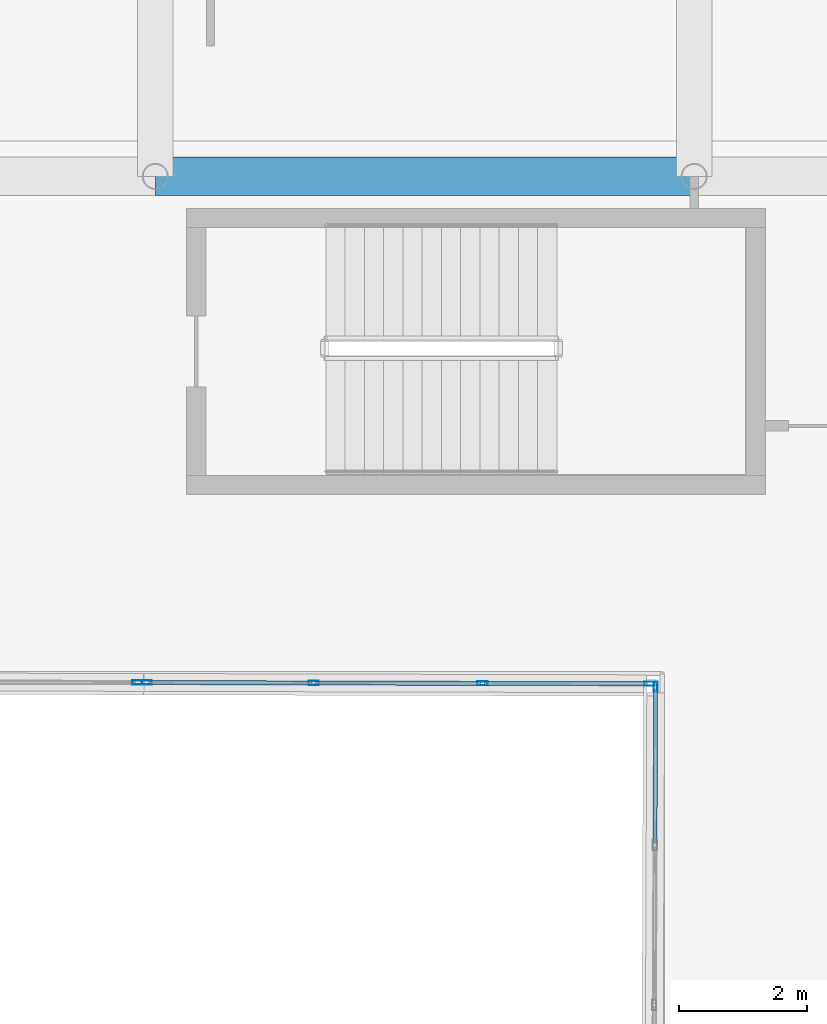
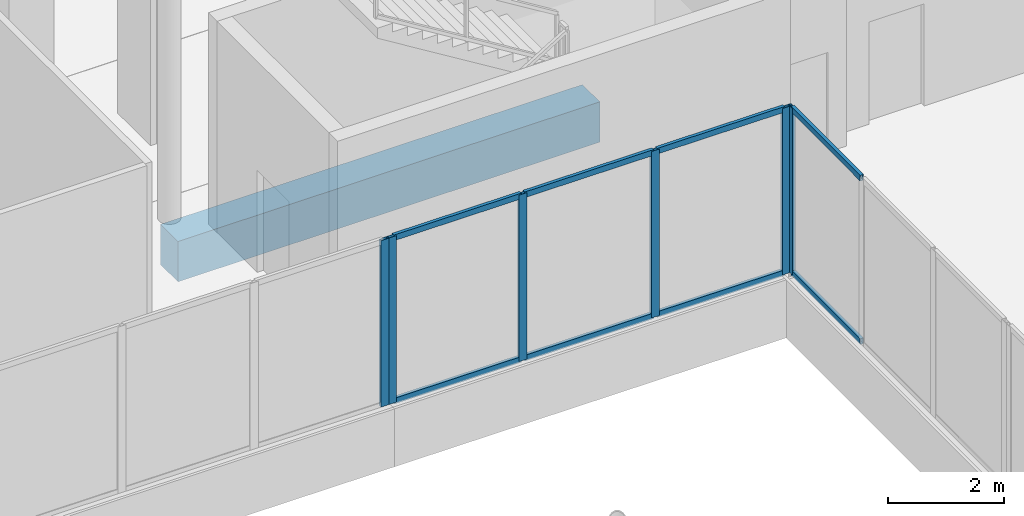
# One storey, part 74 of 168: 14 members, 1 beam, 3 elements without a shape of their own.
"""IFC4 building model written with IfcOpenShell, lengths in metres."""

from ifc_helpers import new_model, si_unit, direction, frame, origin, origin_2d, place, context, subcontext, project, spatial, rectangle, hollow_rectangle, extrude, material, material_profile, profile_set, type_object, element, aggregate, save


model = new_model("IFC4")

# Units and contexts
model_context = context("Model", 3, precision=1e-05, world=origin(), true_north=direction((0.0, 1.0)))
body_context = subcontext(model_context, "Body", "Model", "MODEL_VIEW")
ifc_project = project(units=[si_unit("LENGTHUNIT", "METRE"), si_unit("AREAUNIT", "SQUARE_METRE"), si_unit("VOLUMEUNIT", "CUBIC_METRE"), si_unit("PLANEANGLEUNIT", "RADIAN"), si_unit("MASSUNIT", "GRAM", prefix="KILO")], contexts=[model_context])

# Site, building, storey
site_placement = place(None, origin())
site = spatial("IfcSite", under=ifc_project, at=site_placement, CompositionType="ELEMENT")
building_placement = place(site_placement, origin())
building = spatial("IfcBuilding", under=site, at=building_placement, Name="Selatvlak General Hospital", CompositionType="ELEMENT")
storey_placement = place(building_placement, frame((0.0, 0.0, 5.39990234375)))
storey = spatial("IfcBuildingStorey", under=building, at=storey_placement, Name="L01", CompositionType="ELEMENT", Elevation=5.39990234375)

# Beam
ifc_material_1 = material(Name="Concrete C40/50", Category="concrete")
ifc_material_profile_1 = material_profile(ifc_material_1, rectangle(XDim=0.60009765625, YDim=0.85009765625, at=origin_2d()), Name="RC-BM 600x850")
ifc_profile_set_1 = profile_set([ifc_material_profile_1], Name="Concrete C40/50")
beam_type = type_object("IfcBeamType", Name="BM-G01", PredefinedType="BEAM", material=ifc_profile_set_1)
beam_placement = place(storey_placement, frame((56.39990234375, 83.449951171875, -0.744873046875), z_axis=(1.0, 0.0, 0.0), x_axis=(0.0, 1.0, 0.0)))
element("IfcBeam", 1, at=beam_placement, inside=storey, type_object=beam_type, Name="Beam BMR-L01-0426", PredefinedType="BEAM", context=body_context, shape_type="SweptSolid", body=[
    extrude(rectangle(XDim=0.60009765625, YDim=0.85009765625, at=origin_2d()), origin(), (0.0, 0.0, 1.0), 8.400146484375),
])

# Curtain wall, member
ifc_material_2 = material(Name="Solar-control Low-E double glazing", Category="glass")
curtain_wall_type_1 = type_object("IfcCurtainWallType", Name="CW-CW-02", PredefinedType="USERDEFINED", material=ifc_material_2)
curtain_wall_1_placement = place(storey_placement, origin())
curtain_wall_1 = element("IfcCurtainWall", 2, at=curtain_wall_1_placement, inside=storey, type_object=curtain_wall_type_1, Name="Glazed facade curtain wall CW-L01-0235", ObjectType="UNITISED CURTAIN WALL", PredefinedType="USERDEFINED")
ifc_material_3 = material(Name="Dark anodised aluminium mullion", Category="aluminium")
ifc_material_profile_2 = material_profile(ifc_material_3, hollow_rectangle(XDim=0.06494140625, YDim=0.159912109375, WallThickness=0.00390625, at=origin_2d()), Name="AL-MUL 65x160x4")
ifc_profile_set_2 = profile_set([ifc_material_profile_2], Name="Dark anodised aluminium mullion")
member_type_1 = type_object("IfcMemberType", Name="CWM-01", PredefinedType="MULLION", material=ifc_profile_set_2)
member_1_placement = place(storey_placement, frame((64.199951171875, 75.492431640625, 0.940185546875), z_axis=(0.0, 0.0, 1.0), x_axis=(-0.99999197872, 0.00400530832, 0.0)))
member_1 = element("IfcMember", 3, at=member_1_placement, type_object=member_type_1, Name="CW-02 mullion 4", PredefinedType="MULLION", context=body_context, shape_type="SweptSolid", body=[
    extrude(hollow_rectangle(XDim=0.06494140625, YDim=0.159912109375, WallThickness=0.00390625, at=origin_2d()), origin(), (0.0, 0.0, 1.0), 3.5048828125),
])

# Curtain wall, members
curtain_wall_type_2 = type_object("IfcCurtainWallType", Name="CW-CW-01", PredefinedType="USERDEFINED", material=ifc_material_2)
curtain_wall_2_placement = place(storey_placement, origin())
curtain_wall_2 = element("IfcCurtainWall", 4, at=curtain_wall_2_placement, inside=storey, type_object=curtain_wall_type_2, Name="Glazed facade curtain wall CW-L01-0236", ObjectType="UNITISED CURTAIN WALL", PredefinedType="USERDEFINED")
member_2_placement = place(storey_placement, frame((64.1025390625, 75.5400390625, 0.940185546875), z_axis=(0.0, 0.0, 1.0), x_axis=(-0.002531637448, -0.999996795401, 0.0)))
member_2 = element("IfcMember", 5, at=member_2_placement, type_object=member_type_1, Name="CW-01 mullion 1", PredefinedType="MULLION", context=body_context, shape_type="SweptSolid", body=[
    extrude(hollow_rectangle(XDim=0.06494140625, YDim=0.159912109375, WallThickness=0.00390625, at=origin_2d()), origin(), (0.0, 0.0, 1.0), 3.5048828125),
])
member_3_placement = place(storey_placement, frame((61.501708984375, 75.546630859375, 0.940185546875), z_axis=(0.0, 0.0, 1.0), x_axis=(-0.002531637448, -0.999996795401, 0.0)))
member_3 = element("IfcMember", 6, at=member_3_placement, type_object=member_type_1, Name="CW-01 mullion 2", PredefinedType="MULLION", context=body_context, shape_type="SweptSolid", body=[
    extrude(hollow_rectangle(XDim=0.06494140625, YDim=0.159912109375, WallThickness=0.00390625, at=origin_2d()), origin(), (0.0, 0.0, 1.0), 3.5048828125),
])
member_4_placement = place(storey_placement, frame((58.868408203125, 75.55322265625, 0.940185546875), z_axis=(0.0, 0.0, 1.0), x_axis=(-0.002531637448, -0.999996795401, 0.0)))
member_4 = element("IfcMember", 7, at=member_4_placement, type_object=member_type_1, Name="CW-01 mullion 3", PredefinedType="MULLION", context=body_context, shape_type="SweptSolid", body=[
    extrude(hollow_rectangle(XDim=0.06494140625, YDim=0.159912109375, WallThickness=0.00390625, at=origin_2d()), origin(), (0.0, 0.0, 1.0), 3.5048828125),
])
member_5_placement = place(storey_placement, frame((56.267578125, 75.559814453125, 0.940185546875), z_axis=(0.0, 0.0, 1.0), x_axis=(-0.002531637448, -0.999996795401, 0.0)))
member_5 = element("IfcMember", 8, at=member_5_placement, type_object=member_type_1, Name="CW-01 mullion 4", PredefinedType="MULLION", context=body_context, shape_type="SweptSolid", body=[
    extrude(hollow_rectangle(XDim=0.06494140625, YDim=0.159912109375, WallThickness=0.00390625, at=origin_2d()), origin(), (0.0, 0.0, 1.0), 3.5048828125),
])

# Curtain wall, member
curtain_wall_3_placement = place(storey_placement, origin())
curtain_wall_3 = element("IfcCurtainWall", 9, at=curtain_wall_3_placement, inside=storey, type_object=curtain_wall_type_1, Name="Glazed facade curtain wall CW-L01-0237", ObjectType="UNITISED CURTAIN WALL", PredefinedType="USERDEFINED")
member_6_placement = place(storey_placement, frame((56.12255859375, 75.56005859375, 0.940185546875), z_axis=(0.0, 0.0, 1.0), x_axis=(-0.002531637448, -0.999996795401, 0.0)))
member_6 = element("IfcMember", 10, at=member_6_placement, type_object=member_type_1, Name="CW-02 mullion 1", PredefinedType="MULLION", context=body_context, shape_type="SweptSolid", body=[
    extrude(hollow_rectangle(XDim=0.06494140625, YDim=0.159912109375, WallThickness=0.00390625, at=origin_2d()), origin(), (0.0, 0.0, 1.0), 3.5048828125),
])
aggregate(curtain_wall_3, [member_6])

# Member
ifc_material_profile_3 = material_profile(ifc_material_3, hollow_rectangle(XDim=0.06494140625, YDim=0.1201171875, WallThickness=0.00390625, at=origin_2d()), Name="AL-TRN 65x120x4")
ifc_profile_set_3 = profile_set([ifc_material_profile_3], Name="Dark anodised aluminium mullion")
member_type_2 = type_object("IfcMemberType", Name="CWT-01", PredefinedType="USERDEFINED", material=ifc_profile_set_3)
member_7_placement = place(storey_placement, frame((64.190185546875, 73.060791015625, 0.97265625), z_axis=(0.003968626526, 0.999992124971, 0.0), x_axis=(-0.999992124971, 0.003968626526, 0.0)))
member_7 = element("IfcMember", 11, at=member_7_placement, type_object=member_type_2, Name="CW-02 transom 3.1", ObjectType="TRANSOM", PredefinedType="USERDEFINED", context=body_context, shape_type="SweptSolid", body=[
    extrude(hollow_rectangle(XDim=0.06494140625, YDim=0.1201171875, WallThickness=0.00390625, at=origin_2d()), origin(), (0.0, 0.0, 1.0), 2.399169921875),
])

member_8_placement = place(storey_placement, frame((64.190185546875, 73.060791015625, 4.41259765625), z_axis=(0.003968626526, 0.999992124971, 0.0), x_axis=(-0.999992124971, 0.003968626526, 0.0)))
member_8 = element("IfcMember", 12, at=member_8_placement, type_object=member_type_2, Name="CW-02 transom 3.2", ObjectType="TRANSOM", PredefinedType="USERDEFINED", context=body_context, shape_type="SweptSolid", body=[
    extrude(hollow_rectangle(XDim=0.06494140625, YDim=0.1201171875, WallThickness=0.00390625, at=origin_2d()), origin(), (0.0, 0.0, 1.0), 2.399169921875),
])

aggregate(curtain_wall_1, [member_1, member_7, member_8])

member_9_placement = place(storey_placement, frame((64.070068359375, 75.540283203125, 0.97265625), z_axis=(-0.999996867188, 0.002503121069, 0.0), x_axis=(-0.002503121069, -0.999996867188, 0.0)))
member_9 = element("IfcMember", 13, at=member_9_placement, type_object=member_type_2, Name="CW-01 transom 1.1", ObjectType="TRANSOM", PredefinedType="USERDEFINED", context=body_context, shape_type="SweptSolid", body=[
    extrude(hollow_rectangle(XDim=0.06494140625, YDim=0.1201171875, WallThickness=0.00390625, at=origin_2d()), origin(), (0.0, 0.0, 1.0), 2.535888671875),
])

member_10_placement = place(storey_placement, frame((64.070068359375, 75.540283203125, 4.41259765625), z_axis=(-0.999996867188, 0.002503121069, 0.0), x_axis=(-0.002503121069, -0.999996867188, 0.0)))
member_10 = element("IfcMember", 14, at=member_10_placement, type_object=member_type_2, Name="CW-01 transom 1.2", ObjectType="TRANSOM", PredefinedType="USERDEFINED", context=body_context, shape_type="SweptSolid", body=[
    extrude(hollow_rectangle(XDim=0.06494140625, YDim=0.1201171875, WallThickness=0.00390625, at=origin_2d()), origin(), (0.0, 0.0, 1.0), 2.535888671875),
])

member_11_placement = place(storey_placement, frame((61.46923828125, 75.546630859375, 0.97265625), z_axis=(-0.999996706453, 0.002566531471, 0.0), x_axis=(-0.002566531471, -0.999996706453, 0.0)))
member_11 = element("IfcMember", 15, at=member_11_placement, type_object=member_type_2, Name="CW-01 transom 2.1", ObjectType="TRANSOM", PredefinedType="USERDEFINED", context=body_context, shape_type="SweptSolid", body=[
    extrude(hollow_rectangle(XDim=0.06494140625, YDim=0.1201171875, WallThickness=0.00390625, at=origin_2d()), origin(), (0.0, 0.0, 1.0), 2.568359375),
])

member_12_placement = place(storey_placement, frame((61.46923828125, 75.546630859375, 4.41259765625), z_axis=(-0.999996706453, 0.002566531471, 0.0), x_axis=(-0.002566531471, -0.999996706453, 0.0)))
member_12 = element("IfcMember", 16, at=member_12_placement, type_object=member_type_2, Name="CW-01 transom 2.2", ObjectType="TRANSOM", PredefinedType="USERDEFINED", context=body_context, shape_type="SweptSolid", body=[
    extrude(hollow_rectangle(XDim=0.06494140625, YDim=0.1201171875, WallThickness=0.00390625, at=origin_2d()), origin(), (0.0, 0.0, 1.0), 2.568359375),
])

member_13_placement = place(storey_placement, frame((58.8359375, 75.553466796875, 0.97265625), z_axis=(-0.999996867188, 0.002503121069, 0.0), x_axis=(-0.002503121069, -0.999996867188, 0.0)))
member_13 = element("IfcMember", 17, at=member_13_placement, type_object=member_type_2, Name="CW-01 transom 3.1", ObjectType="TRANSOM", PredefinedType="USERDEFINED", context=body_context, shape_type="SweptSolid", body=[
    extrude(hollow_rectangle(XDim=0.06494140625, YDim=0.1201171875, WallThickness=0.00390625, at=origin_2d()), origin(), (0.0, 0.0, 1.0), 2.535888671875),
])

member_14_placement = place(storey_placement, frame((58.8359375, 75.553466796875, 4.41259765625), z_axis=(-0.999996867188, 0.002503121069, 0.0), x_axis=(-0.002503121069, -0.999996867188, 0.0)))
member_14 = element("IfcMember", 18, at=member_14_placement, type_object=member_type_2, Name="CW-01 transom 3.2", ObjectType="TRANSOM", PredefinedType="USERDEFINED", context=body_context, shape_type="SweptSolid", body=[
    extrude(hollow_rectangle(XDim=0.06494140625, YDim=0.1201171875, WallThickness=0.00390625, at=origin_2d()), origin(), (0.0, 0.0, 1.0), 2.535888671875),
])

aggregate(curtain_wall_2, [member_2, member_3, member_4, member_5, member_9, member_10, member_11, member_12, member_13, member_14])

save(model, "model.ifc")
